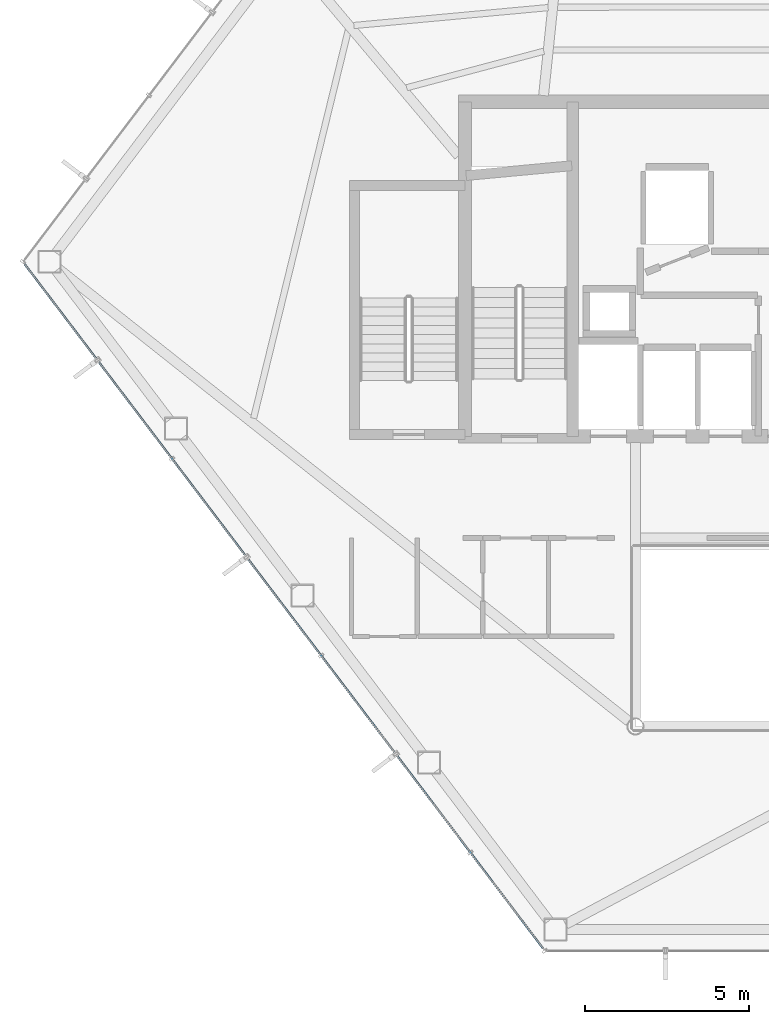
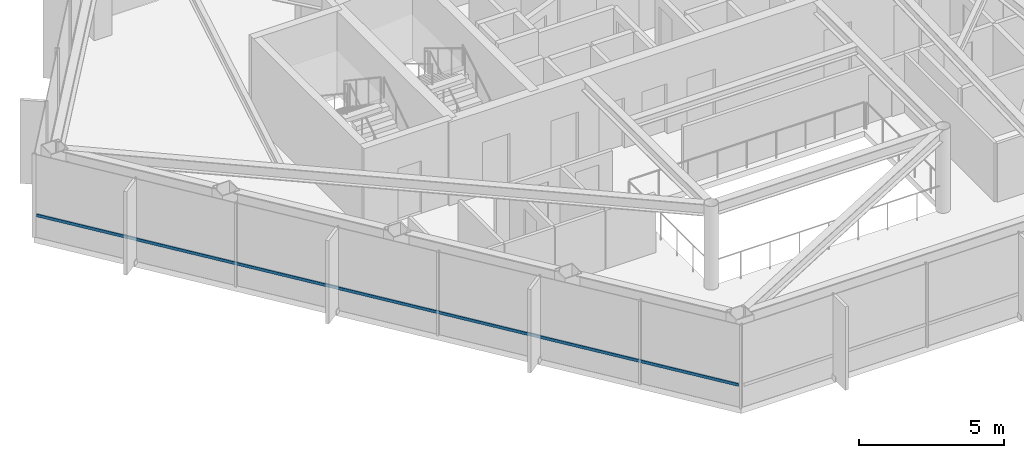
# One storey, part 3 of 27: 1 member, 1 element without a shape of its own.
"""IFC4 building model written with IfcOpenShell, lengths in metres."""

from ifc_helpers import new_model, si_unit, direction, frame, origin, origin_2d, place, context, subcontext, project, spatial, hollow_rectangle, extrude, material, layer, layer_set, material_profile, profile_set, type_object, element, aggregate, save


model = new_model("IFC4")

# Units and contexts
model_context = context("Model", 3, precision=1e-05, world=origin(), true_north=direction((0.0, 1.0)))
body_context = subcontext(model_context, "Body", "Model", "MODEL_VIEW")
ifc_project = project(units=[si_unit("LENGTHUNIT", "METRE"), si_unit("AREAUNIT", "SQUARE_METRE"), si_unit("VOLUMEUNIT", "CUBIC_METRE"), si_unit("PLANEANGLEUNIT", "RADIAN"), si_unit("MASSUNIT", "GRAM", prefix="KILO")], contexts=[model_context])

# Site, building, storey
site_placement = place(None, origin())
site = spatial("IfcSite", under=ifc_project, at=site_placement, CompositionType="ELEMENT")
building_placement = place(site_placement, origin())
building = spatial("IfcBuilding", under=site, at=building_placement, Name="Zarrinselat Tower", CompositionType="ELEMENT")
storey_placement = place(building_placement, frame((0.0, 0.0, 175.780029296875)))
storey = spatial("IfcBuildingStorey", under=building, at=storey_placement, Name="L43", CompositionType="ELEMENT", Elevation=175.780029296875)

# Curtain wall, member
ifc_material_1 = material(Name="Extruded Aluminium Alloy EN AW-6063 T6", Category="aluminium")
ifc_layer = layer(ifc_material_1, 0.175048828125)
ifc_layer_set = layer_set([ifc_layer], Name="Extruded Aluminium Alloy EN AW-6063 T6")
curtain_wall_type = type_object("IfcCurtainWallType", Name="CWS-HTL", PredefinedType="NOTDEFINED", material=ifc_layer_set)
curtain_wall_placement = place(storey_placement, origin())
curtain_wall = element("IfcCurtainWall", 1, at=curtain_wall_placement, inside=storey, type_object=curtain_wall_type, Name="L43 Unitised Curtain Wall CW-L43-E03", PredefinedType="NOTDEFINED")
ifc_material_2 = material(Name="Extruded Aluminium Alloy EN AW-6063 T6", Category="aluminium")
ifc_material_profile = material_profile(ifc_material_2, hollow_rectangle(XDim=0.06005859375, YDim=0.1201171875, WallThickness=0.00390625, at=origin_2d()), Name="RHS 120x60x4")
ifc_profile_set = profile_set([ifc_material_profile], Name="Extruded Aluminium Alloy EN AW-6063 T6")
member_type = type_object("IfcMemberType", Name="MEM-CW-TRN2", PredefinedType="USERDEFINED", material=ifc_profile_set)
member_placement = place(storey_placement, frame((15.17431640625, 38.5, 0.949951171875), z_axis=(0.603859482997, -0.797090788301, 0.0), x_axis=(0.797090788301, 0.603859482997, 0.0)))
member = element("IfcMember", 2, at=member_placement, type_object=member_type, Name="CW-L43-E03 Transom 1", ObjectType="TRANSOM", PredefinedType="USERDEFINED", context=body_context, shape_type="SweptSolid", body=[
    extrude(hollow_rectangle(XDim=0.06005859375, YDim=0.1201171875, WallThickness=0.00390625, at=origin_2d()), origin(), (0.0, 0.0, 1.0), 26.1865234375),
])
aggregate(curtain_wall, [member])

save(model, "model.ifc")
